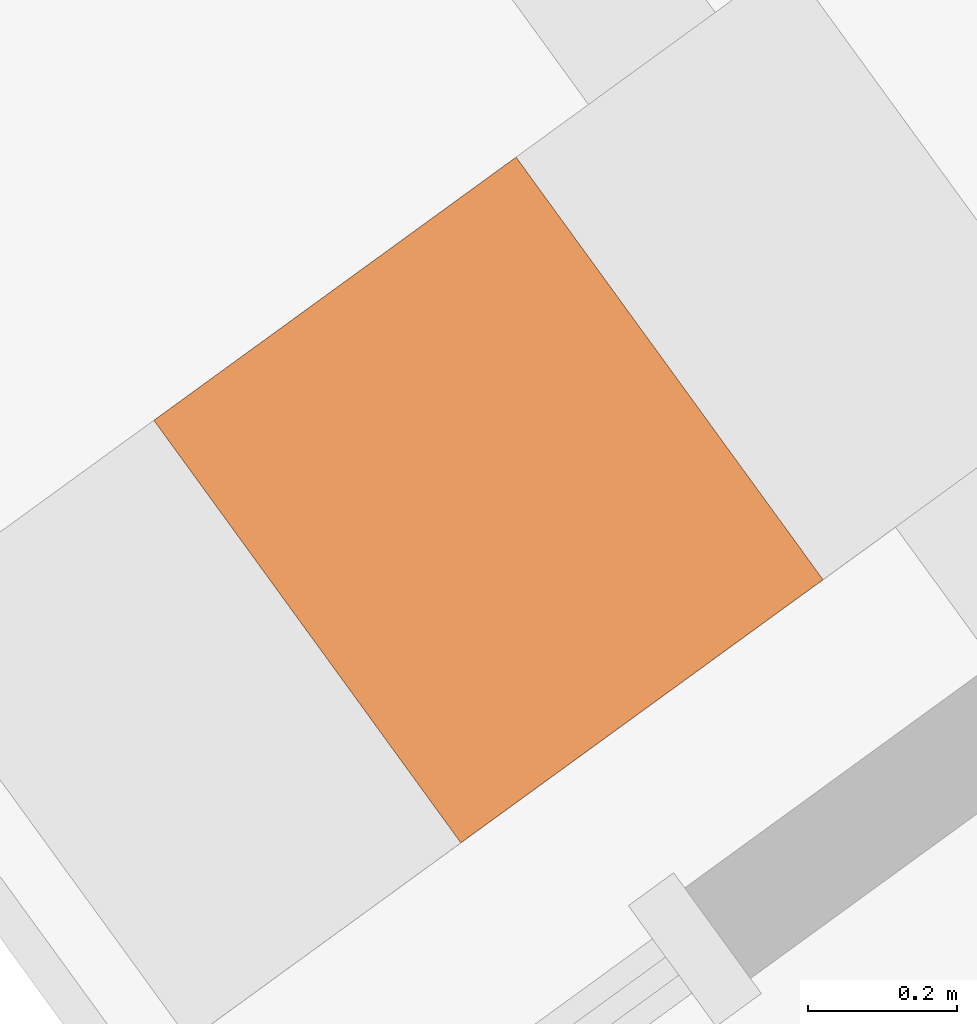
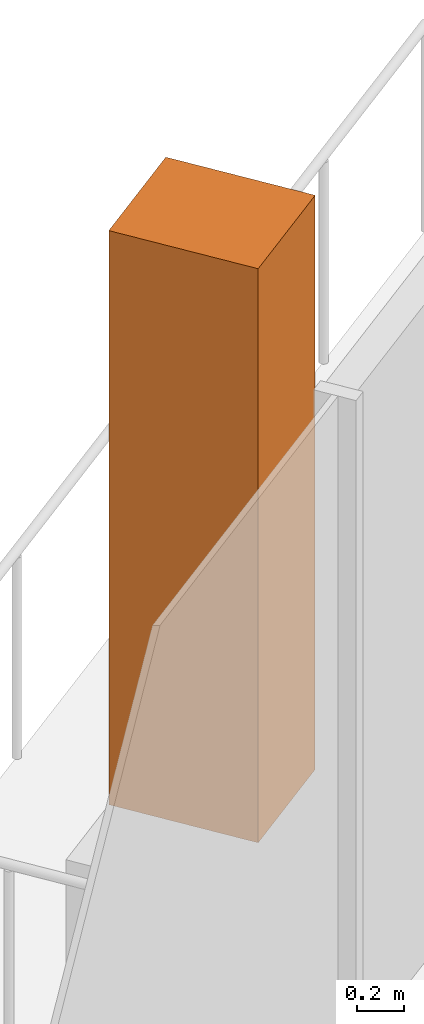
# One storey, part 21 of 21: 1 geographic element.
"""IFC4 building model written with IfcOpenShell, lengths in metres."""

from ifc_helpers import new_model, si_unit, direction, frame, origin, origin_2d, place, context, subcontext, project, spatial, rectangle, extrude, source, transform, mapped, material, type_object, element, save


model = new_model("IFC4")

# Units and contexts
model_context = context("Model", 3, precision=1e-05, world=origin(), true_north=direction((0.0, 1.0)))
body_context = subcontext(model_context, "Body", "Model", "MODEL_VIEW")
ifc_project = project(units=[si_unit("LENGTHUNIT", "METRE"), si_unit("AREAUNIT", "SQUARE_METRE"), si_unit("VOLUMEUNIT", "CUBIC_METRE"), si_unit("PLANEANGLEUNIT", "RADIAN"), si_unit("MASSUNIT", "GRAM", prefix="KILO")], contexts=[model_context])

# Site, building, storey
site_placement = place(None, origin())
site = spatial("IfcSite", under=ifc_project, at=site_placement, CompositionType="ELEMENT")
building_placement = place(site_placement, origin())
building = spatial("IfcBuilding", under=site, at=building_placement, Name="Triune Harvest Tower", CompositionType="ELEMENT")
storey_placement = place(building_placement, frame((0.0, 0.0, 80.10009765625)))
storey = spatial("IfcBuildingStorey", under=building, at=storey_placement, Name="L19", CompositionType="ELEMENT", Elevation=80.10009765625)

# Geographic element
ifc_material = material(Name="TREE-1 tree")
geographic_element_type = type_object("IfcGeographicElementType", Name="TREE-1 tree", PredefinedType="USERDEFINED", material=ifc_material)
shared_shape = source(origin(), body_context, "Body", "SweptSolid", [
    extrude(rectangle(XDim=0.60009765625, YDim=0.699951171875, at=origin_2d()), origin(), (0.0, 0.0, 1.0), 3.0),
])
geographic_element_placement = place(storey_placement, frame((-28.1640625, 8.397216796875, 1.099853515625), z_axis=(0.0, 0.0, 1.0), x_axis=(-0.809017013446, -0.587785226043, 0.0)))
element("IfcGeographicElement", 1, at=geographic_element_placement, inside=storey, type_object=geographic_element_type, Name="Tree B2-F3 L19.10b", ObjectType="TREE", PredefinedType="USERDEFINED", context=body_context, shape_type="MappedRepresentation", body=[
    mapped(shared_shape, transform((0.0, 0.0, 0.0), scale=1.0)),
])

save(model, "model.ifc")
